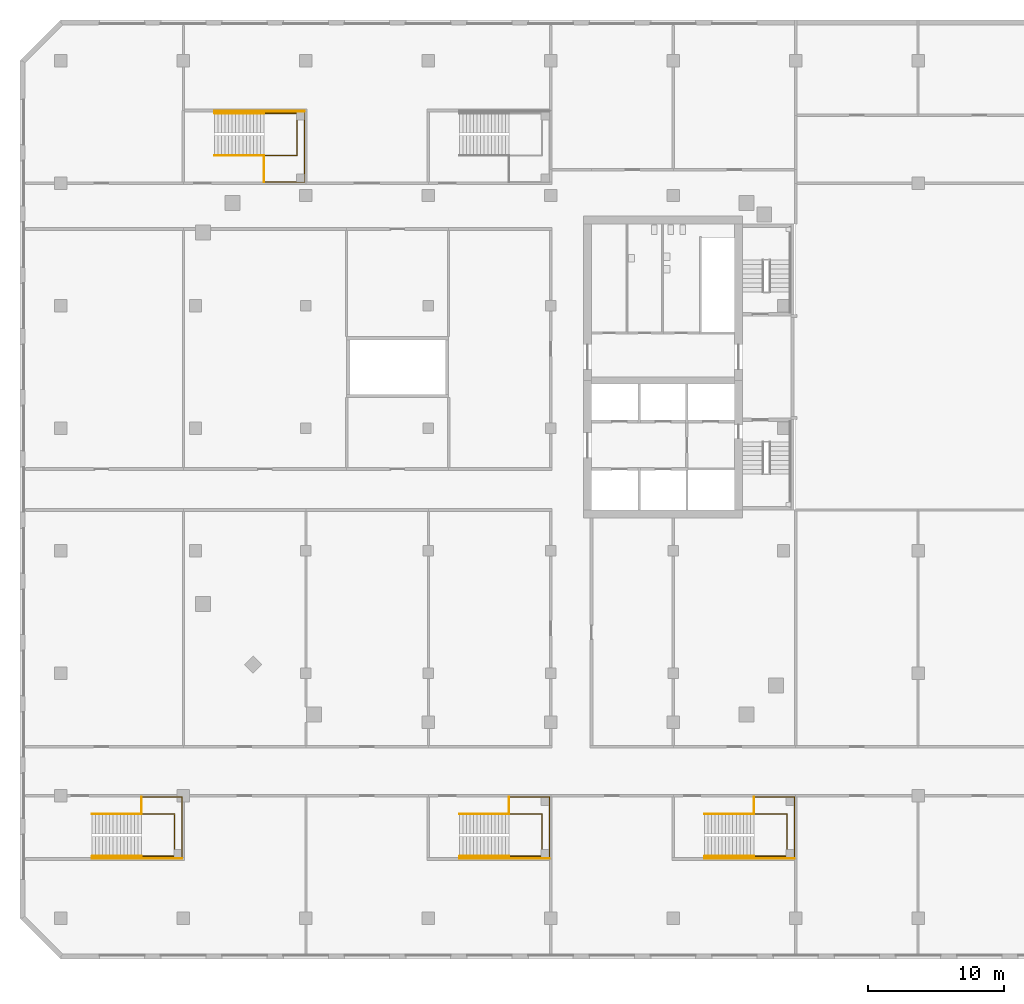
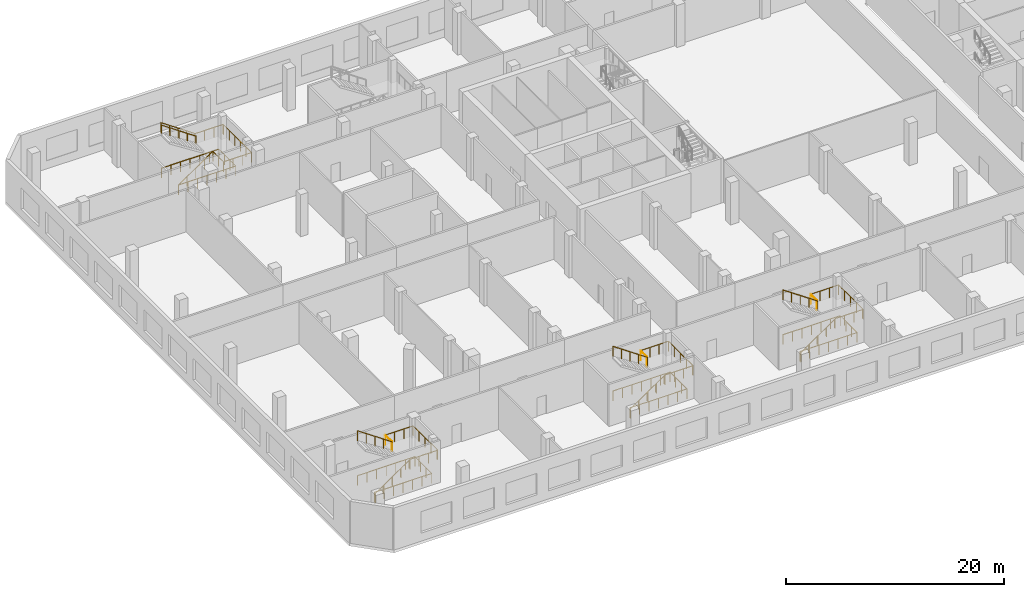
# One storey, part 17 of 21: 24 railings.
"""IFC4 building model written with IfcOpenShell, lengths in metres."""

from ifc_helpers import new_model, si_unit, direction, frame, origin, origin_2d, place, context, subcontext, project, spatial, circle, extrude, material, type_object, element, save


model = new_model("IFC4")

# Units and contexts
model_context = context("Model", 3, precision=1e-05, world=origin(), true_north=direction((0.0, 1.0)))
body_context = subcontext(model_context, "Body", "Model", "MODEL_VIEW")
ifc_project = project(units=[si_unit("LENGTHUNIT", "METRE"), si_unit("AREAUNIT", "SQUARE_METRE"), si_unit("VOLUMEUNIT", "CUBIC_METRE"), si_unit("PLANEANGLEUNIT", "RADIAN"), si_unit("MASSUNIT", "GRAM", prefix="KILO")], contexts=[model_context])

# Site, building, storey
site_placement = place(None, origin())
site = spatial("IfcSite", under=ifc_project, at=site_placement, CompositionType="ELEMENT")
building_placement = place(site_placement, origin())
building = spatial("IfcBuilding", under=site, at=building_placement, Name="Cinnabar Reach Civic Tower", CompositionType="ELEMENT")
storey_placement = place(building_placement, frame((0.0, 0.0, 11.0)))
storey = spatial("IfcBuildingStorey", under=building, at=storey_placement, Name="L02", CompositionType="ELEMENT", Elevation=11.0)

# Railings
ifc_material_1 = material(Name="Stainless steel and glass", Category="steel")
railing_type_1 = type_object("IfcRailingType", Name="Podium guard 1100", PredefinedType="GUARDRAIL", material=ifc_material_1)
railing_1_placement = place(storey_placement, frame((-75.06, -1.35, 2.5)))
element("IfcRailing", 1, at=railing_1_placement, inside=storey, type_object=railing_type_1, Name="Stair guard PS1 L02", PredefinedType="GUARDRAIL", context=body_context, shape_type="SweptSolid", body=[
    extrude(circle(Radius=0.024, at=origin_2d()), frame((0.0, 0.0, 1.076), z_axis=(-0.824306135323, 0.0, 0.566144323711), x_axis=(0.0, -1.0, 0.0)), (0.0, 0.0, 1.0), 4.4158),
    extrude(circle(Radius=0.021, at=origin_2d()), origin(), (0.0, 0.0, 1.0), 1.052),
    extrude(circle(Radius=0.021, at=origin_2d()), frame((-0.91, 0.0, 0.625)), (0.0, 0.0, 1.0), 1.052),
    extrude(circle(Radius=0.021, at=origin_2d()), frame((-1.82, 0.0, 1.25)), (0.0, 0.0, 1.0), 1.052),
    extrude(circle(Radius=0.021, at=origin_2d()), frame((-2.73, 0.0, 1.875)), (0.0, 0.0, 1.0), 1.052),
    extrude(circle(Radius=0.021, at=origin_2d()), frame((-3.64, 0.0, 2.5)), (0.0, 0.0, 1.0), 1.052),
])
railing_2_placement = place(storey_placement, frame((-75.06, -0.1, 2.5)))
element("IfcRailing", 2, at=railing_2_placement, inside=storey, type_object=railing_type_1, Name="Landing guard PS1 L02", PredefinedType="GUARDRAIL", context=body_context, shape_type="SweptSolid", body=[
    extrude(circle(Radius=0.024, at=origin_2d()), frame((0.0, 0.0, 1.076), z_axis=(1.0, 0.0, 0.0), x_axis=(0.0, 1.0, 0.0)), (0.0, 0.0, 1.0), 2.96),
    extrude(circle(Radius=0.024, at=origin_2d()), frame((2.96, 0.0, 1.076), z_axis=(0.0, -1.0, 0.0), x_axis=(1.0, 0.0, 0.0)), (0.0, 0.0, 1.0), 4.4),
    extrude(circle(Radius=0.021, at=origin_2d()), origin(), (0.0, 0.0, 1.0), 1.052),
    extrude(circle(Radius=0.021, at=origin_2d()), frame((0.9867, 0.0, 0.0)), (0.0, 0.0, 1.0), 1.052),
    extrude(circle(Radius=0.021, at=origin_2d()), frame((1.9733, 0.0, 0.0)), (0.0, 0.0, 1.0), 1.052),
    extrude(circle(Radius=0.021, at=origin_2d()), frame((2.96, 0.0, 0.0)), (0.0, 0.0, 1.0), 1.052),
    extrude(circle(Radius=0.021, at=origin_2d()), frame((2.96, -1.1, 0.0)), (0.0, 0.0, 1.0), 1.052),
    extrude(circle(Radius=0.021, at=origin_2d()), frame((2.96, -2.2, 0.0)), (0.0, 0.0, 1.0), 1.052),
    extrude(circle(Radius=0.021, at=origin_2d()), frame((2.96, -3.3, 0.0)), (0.0, 0.0, 1.0), 1.052),
    extrude(circle(Radius=0.021, at=origin_2d()), frame((2.96, -4.4, 0.0)), (0.0, 0.0, 1.0), 1.052),
])
railing_3_placement = place(storey_placement, frame((-75.06, -1.3, 2.5)))
element("IfcRailing", 3, at=railing_3_placement, inside=storey, type_object=railing_type_1, Name="Landing guard PS1 L02 inner", PredefinedType="GUARDRAIL", context=body_context, shape_type="SweptSolid", body=[
    extrude(circle(Radius=0.024, at=origin_2d()), frame((0.0, 0.0, 1.076), z_axis=(0.0, 1.0, 0.0), x_axis=(-1.0, 0.0, 0.0)), (0.0, 0.0, 1.0), 1.2),
    extrude(circle(Radius=0.021, at=origin_2d()), origin(), (0.0, 0.0, 1.0), 1.052),
    extrude(circle(Radius=0.021, at=origin_2d()), frame((0.0, 1.2, 0.0)), (0.0, 0.0, 1.0), 1.052),
])
railing_4_placement = place(storey_placement, frame((-78.7, -4.6, 0.0)))
element("IfcRailing", 4, at=railing_4_placement, inside=storey, type_object=railing_type_1, Name="Stair wall side guard PS1 L02", PredefinedType="GUARDRAIL", context=body_context, shape_type="SweptSolid", body=[
    extrude(circle(Radius=0.024, at=origin_2d()), frame((0.0, 0.0, 1.076), z_axis=(0.824306135323, 0.0, 0.566144323711), x_axis=(0.0, 1.0, 0.0)), (0.0, 0.0, 1.0), 4.4158),
    extrude(circle(Radius=0.024, at=origin_2d()), frame((3.64, 0.0, 3.576), z_axis=(1.0, 0.0, 0.0), x_axis=(0.0, 1.0, 0.0)), (0.0, 0.0, 1.0), 2.96),
    extrude(circle(Radius=0.021, at=origin_2d()), origin(), (0.0, 0.0, 1.0), 1.052),
    extrude(circle(Radius=0.021, at=origin_2d()), frame((0.91, 0.0, 0.625)), (0.0, 0.0, 1.0), 1.052),
    extrude(circle(Radius=0.021, at=origin_2d()), frame((1.82, 0.0, 1.25)), (0.0, 0.0, 1.0), 1.052),
    extrude(circle(Radius=0.021, at=origin_2d()), frame((2.73, 0.0, 1.875)), (0.0, 0.0, 1.0), 1.052),
    extrude(circle(Radius=0.021, at=origin_2d()), frame((3.64, 0.0, 2.5)), (0.0, 0.0, 1.0), 1.052),
    extrude(circle(Radius=0.021, at=origin_2d()), frame((4.6267, 0.0, 2.5)), (0.0, 0.0, 1.0), 1.052),
    extrude(circle(Radius=0.021, at=origin_2d()), frame((5.6133, 0.0, 2.5)), (0.0, 0.0, 1.0), 1.052),
    extrude(circle(Radius=0.021, at=origin_2d()), frame((6.6, 0.0, 2.5)), (0.0, 0.0, 1.0), 1.052),
])
railing_5_placement = place(storey_placement, frame((-78.7, -4.45, 0.0)))
element("IfcRailing", 5, at=railing_5_placement, inside=storey, type_object=railing_type_1, Name="Stair well guard PS1 L02", PredefinedType="GUARDRAIL", context=body_context, shape_type="SweptSolid", body=[
    extrude(circle(Radius=0.024, at=origin_2d()), frame((0.0, 0.0, 1.076), z_axis=(1.0, 0.0, 0.0), x_axis=(0.0, 1.0, 0.0)), (0.0, 0.0, 1.0), 6.05),
    extrude(circle(Radius=0.024, at=origin_2d()), frame((6.05, 0.0, 1.076), z_axis=(0.0, 1.0, 0.0), x_axis=(-1.0, 0.0, 0.0)), (0.0, 0.0, 1.0), 3.1),
    extrude(circle(Radius=0.024, at=origin_2d()), frame((6.05, 3.1, 1.076), z_axis=(-1.0, 0.0, 0.0), x_axis=(0.0, -1.0, 0.0)), (0.0, 0.0, 1.0), 6.05),
    extrude(circle(Radius=0.021, at=origin_2d()), origin(), (0.0, 0.0, 1.0), 1.052),
    extrude(circle(Radius=0.021, at=origin_2d()), frame((1.0083, 0.0, 0.0)), (0.0, 0.0, 1.0), 1.052),
    extrude(circle(Radius=0.021, at=origin_2d()), frame((2.0167, 0.0, 0.0)), (0.0, 0.0, 1.0), 1.052),
    extrude(circle(Radius=0.021, at=origin_2d()), frame((3.025, 0.0, 0.0)), (0.0, 0.0, 1.0), 1.052),
    extrude(circle(Radius=0.021, at=origin_2d()), frame((4.0333, 0.0, 0.0)), (0.0, 0.0, 1.0), 1.052),
    extrude(circle(Radius=0.021, at=origin_2d()), frame((5.0417, 0.0, 0.0)), (0.0, 0.0, 1.0), 1.052),
    extrude(circle(Radius=0.021, at=origin_2d()), frame((6.05, 0.0, 0.0)), (0.0, 0.0, 1.0), 1.052),
    extrude(circle(Radius=0.021, at=origin_2d()), frame((6.05, 1.0333, 0.0)), (0.0, 0.0, 1.0), 1.052),
    extrude(circle(Radius=0.021, at=origin_2d()), frame((6.05, 2.0667, 0.0)), (0.0, 0.0, 1.0), 1.052),
    extrude(circle(Radius=0.021, at=origin_2d()), frame((6.05, 3.1, 0.0)), (0.0, 0.0, 1.0), 1.052),
    extrude(circle(Radius=0.021, at=origin_2d()), frame((5.0417, 3.1, 0.0)), (0.0, 0.0, 1.0), 1.052),
    extrude(circle(Radius=0.021, at=origin_2d()), frame((4.0333, 3.1, 0.0)), (0.0, 0.0, 1.0), 1.052),
    extrude(circle(Radius=0.021, at=origin_2d()), frame((3.025, 3.1, 0.0)), (0.0, 0.0, 1.0), 1.052),
    extrude(circle(Radius=0.021, at=origin_2d()), frame((2.0167, 3.1, 0.0)), (0.0, 0.0, 1.0), 1.052),
    extrude(circle(Radius=0.021, at=origin_2d()), frame((1.0083, 3.1, 0.0)), (0.0, 0.0, 1.0), 1.052),
    extrude(circle(Radius=0.021, at=origin_2d()), frame((0.0, 3.1, 0.0)), (0.0, 0.0, 1.0), 1.052),
])
railing_6_placement = place(storey_placement, frame((-69.7, 47.05, 0.0)))
element("IfcRailing", 6, at=railing_6_placement, inside=storey, type_object=railing_type_1, Name="Stair guard PS2 L02", PredefinedType="GUARDRAIL", context=body_context, shape_type="SweptSolid", body=[
    extrude(circle(Radius=0.024, at=origin_2d()), frame((0.0, 0.0, 1.076), z_axis=(0.824306135323, 0.0, 0.566144323711), x_axis=(0.0, 1.0, 0.0)), (0.0, 0.0, 1.0), 4.4158),
    extrude(circle(Radius=0.021, at=origin_2d()), origin(), (0.0, 0.0, 1.0), 1.052),
    extrude(circle(Radius=0.021, at=origin_2d()), frame((0.91, 0.0, 0.625)), (0.0, 0.0, 1.0), 1.052),
    extrude(circle(Radius=0.021, at=origin_2d()), frame((1.82, 0.0, 1.25)), (0.0, 0.0, 1.0), 1.052),
    extrude(circle(Radius=0.021, at=origin_2d()), frame((2.73, 0.0, 1.875)), (0.0, 0.0, 1.0), 1.052),
    extrude(circle(Radius=0.021, at=origin_2d()), frame((3.64, 0.0, 2.5)), (0.0, 0.0, 1.0), 1.052),
])
railing_7_placement = place(storey_placement, frame((-66.06, 45.1, 2.5)))
element("IfcRailing", 7, at=railing_7_placement, inside=storey, type_object=railing_type_1, Name="Landing guard PS2 L02", PredefinedType="GUARDRAIL", context=body_context, shape_type="SweptSolid", body=[
    extrude(circle(Radius=0.024, at=origin_2d()), frame((0.0, 0.0, 1.076), z_axis=(1.0, 0.0, 0.0), x_axis=(0.0, 1.0, 0.0)), (0.0, 0.0, 1.0), 2.96),
    extrude(circle(Radius=0.024, at=origin_2d()), frame((2.96, 0.0, 1.076), z_axis=(0.0, 1.0, 0.0), x_axis=(-1.0, 0.0, 0.0)), (0.0, 0.0, 1.0), 5.1),
    extrude(circle(Radius=0.021, at=origin_2d()), origin(), (0.0, 0.0, 1.0), 1.052),
    extrude(circle(Radius=0.021, at=origin_2d()), frame((0.9867, 0.0, 0.0)), (0.0, 0.0, 1.0), 1.052),
    extrude(circle(Radius=0.021, at=origin_2d()), frame((1.9733, 0.0, 0.0)), (0.0, 0.0, 1.0), 1.052),
    extrude(circle(Radius=0.021, at=origin_2d()), frame((2.96, 0.0, 0.0)), (0.0, 0.0, 1.0), 1.052),
    extrude(circle(Radius=0.021, at=origin_2d()), frame((2.96, 1.02, 0.0)), (0.0, 0.0, 1.0), 1.052),
    extrude(circle(Radius=0.021, at=origin_2d()), frame((2.96, 2.04, 0.0)), (0.0, 0.0, 1.0), 1.052),
    extrude(circle(Radius=0.021, at=origin_2d()), frame((2.96, 3.06, 0.0)), (0.0, 0.0, 1.0), 1.052),
    extrude(circle(Radius=0.021, at=origin_2d()), frame((2.96, 4.08, 0.0)), (0.0, 0.0, 1.0), 1.052),
    extrude(circle(Radius=0.021, at=origin_2d()), frame((2.96, 5.1, 0.0)), (0.0, 0.0, 1.0), 1.052),
])
railing_8_placement = place(storey_placement, frame((-66.06, 45.1, 2.5)))
element("IfcRailing", 8, at=railing_8_placement, inside=storey, type_object=railing_type_1, Name="Landing guard PS2 L02 inner", PredefinedType="GUARDRAIL", context=body_context, shape_type="SweptSolid", body=[
    extrude(circle(Radius=0.024, at=origin_2d()), frame((0.0, 0.0, 1.076), z_axis=(0.0, 1.0, 0.0), x_axis=(-1.0, 0.0, 0.0)), (0.0, 0.0, 1.0), 1.9),
    extrude(circle(Radius=0.021, at=origin_2d()), origin(), (0.0, 0.0, 1.0), 1.052),
    extrude(circle(Radius=0.021, at=origin_2d()), frame((0.0, 0.95, 0.0)), (0.0, 0.0, 1.0), 1.052),
    extrude(circle(Radius=0.021, at=origin_2d()), frame((0.0, 1.9, 0.0)), (0.0, 0.0, 1.0), 1.052),
])
railing_9_placement = place(storey_placement, frame((-63.1, 50.3, 2.5)))
element("IfcRailing", 9, at=railing_9_placement, inside=storey, type_object=railing_type_1, Name="Stair wall side guard PS2 L02", PredefinedType="GUARDRAIL", context=body_context, shape_type="SweptSolid", body=[
    extrude(circle(Radius=0.024, at=origin_2d()), frame((0.0, 0.0, 1.076), z_axis=(-1.0, 0.0, 0.0), x_axis=(0.0, -1.0, 0.0)), (0.0, 0.0, 1.0), 2.96),
    extrude(circle(Radius=0.024, at=origin_2d()), frame((-2.96, 0.0, 1.076), z_axis=(-0.824306135323, 0.0, 0.566144323711), x_axis=(0.0, -1.0, 0.0)), (0.0, 0.0, 1.0), 4.4158),
    extrude(circle(Radius=0.021, at=origin_2d()), origin(), (0.0, 0.0, 1.0), 1.052),
    extrude(circle(Radius=0.021, at=origin_2d()), frame((-0.9867, 0.0, 0.0)), (0.0, 0.0, 1.0), 1.052),
    extrude(circle(Radius=0.021, at=origin_2d()), frame((-1.9733, 0.0, 0.0)), (0.0, 0.0, 1.0), 1.052),
    extrude(circle(Radius=0.021, at=origin_2d()), frame((-2.96, 0.0, 0.0)), (0.0, 0.0, 1.0), 1.052),
    extrude(circle(Radius=0.021, at=origin_2d()), frame((-3.87, 0.0, 0.625)), (0.0, 0.0, 1.0), 1.052),
    extrude(circle(Radius=0.021, at=origin_2d()), frame((-4.78, 0.0, 1.25)), (0.0, 0.0, 1.0), 1.052),
    extrude(circle(Radius=0.021, at=origin_2d()), frame((-5.69, 0.0, 1.875)), (0.0, 0.0, 1.0), 1.052),
    extrude(circle(Radius=0.021, at=origin_2d()), frame((-6.6, 0.0, 2.5)), (0.0, 0.0, 1.0), 1.052),
])
railing_10_placement = place(storey_placement, frame((-69.7, 47.05, 0.0)))
element("IfcRailing", 10, at=railing_10_placement, inside=storey, type_object=railing_type_1, Name="Stair well guard PS2 L02", PredefinedType="GUARDRAIL", context=body_context, shape_type="SweptSolid", body=[
    extrude(circle(Radius=0.024, at=origin_2d()), frame((0.0, 0.0, 1.076), z_axis=(1.0, 0.0, 0.0), x_axis=(0.0, 1.0, 0.0)), (0.0, 0.0, 1.0), 6.05),
    extrude(circle(Radius=0.024, at=origin_2d()), frame((6.05, 0.0, 1.076), z_axis=(0.0, 1.0, 0.0), x_axis=(-1.0, 0.0, 0.0)), (0.0, 0.0, 1.0), 3.1),
    extrude(circle(Radius=0.024, at=origin_2d()), frame((6.05, 3.1, 1.076), z_axis=(-1.0, 0.0, 0.0), x_axis=(0.0, -1.0, 0.0)), (0.0, 0.0, 1.0), 6.05),
    extrude(circle(Radius=0.021, at=origin_2d()), origin(), (0.0, 0.0, 1.0), 1.052),
    extrude(circle(Radius=0.021, at=origin_2d()), frame((1.0083, 0.0, 0.0)), (0.0, 0.0, 1.0), 1.052),
    extrude(circle(Radius=0.021, at=origin_2d()), frame((2.0167, 0.0, 0.0)), (0.0, 0.0, 1.0), 1.052),
    extrude(circle(Radius=0.021, at=origin_2d()), frame((3.025, 0.0, 0.0)), (0.0, 0.0, 1.0), 1.052),
    extrude(circle(Radius=0.021, at=origin_2d()), frame((4.0333, 0.0, 0.0)), (0.0, 0.0, 1.0), 1.052),
    extrude(circle(Radius=0.021, at=origin_2d()), frame((5.0417, 0.0, 0.0)), (0.0, 0.0, 1.0), 1.052),
    extrude(circle(Radius=0.021, at=origin_2d()), frame((6.05, 0.0, 0.0)), (0.0, 0.0, 1.0), 1.052),
    extrude(circle(Radius=0.021, at=origin_2d()), frame((6.05, 1.0333, 0.0)), (0.0, 0.0, 1.0), 1.052),
    extrude(circle(Radius=0.021, at=origin_2d()), frame((6.05, 2.0667, 0.0)), (0.0, 0.0, 1.0), 1.052),
    extrude(circle(Radius=0.021, at=origin_2d()), frame((6.05, 3.1, 0.0)), (0.0, 0.0, 1.0), 1.052),
    extrude(circle(Radius=0.021, at=origin_2d()), frame((5.0417, 3.1, 0.0)), (0.0, 0.0, 1.0), 1.052),
    extrude(circle(Radius=0.021, at=origin_2d()), frame((4.0333, 3.1, 0.0)), (0.0, 0.0, 1.0), 1.052),
    extrude(circle(Radius=0.021, at=origin_2d()), frame((3.025, 3.1, 0.0)), (0.0, 0.0, 1.0), 1.052),
    extrude(circle(Radius=0.021, at=origin_2d()), frame((2.0167, 3.1, 0.0)), (0.0, 0.0, 1.0), 1.052),
    extrude(circle(Radius=0.021, at=origin_2d()), frame((1.0083, 3.1, 0.0)), (0.0, 0.0, 1.0), 1.052),
    extrude(circle(Radius=0.021, at=origin_2d()), frame((0.0, 3.1, 0.0)), (0.0, 0.0, 1.0), 1.052),
])
railing_11_placement = place(storey_placement, frame((-48.06, -1.35, 2.5)))
element("IfcRailing", 11, at=railing_11_placement, inside=storey, type_object=railing_type_1, Name="Stair guard PS8 L02", PredefinedType="GUARDRAIL", context=body_context, shape_type="SweptSolid", body=[
    extrude(circle(Radius=0.024, at=origin_2d()), frame((0.0, 0.0, 1.076), z_axis=(-0.824306135323, 0.0, 0.566144323711), x_axis=(0.0, -1.0, 0.0)), (0.0, 0.0, 1.0), 4.4158),
    extrude(circle(Radius=0.021, at=origin_2d()), origin(), (0.0, 0.0, 1.0), 1.052),
    extrude(circle(Radius=0.021, at=origin_2d()), frame((-0.91, 0.0, 0.625)), (0.0, 0.0, 1.0), 1.052),
    extrude(circle(Radius=0.021, at=origin_2d()), frame((-1.82, 0.0, 1.25)), (0.0, 0.0, 1.0), 1.052),
    extrude(circle(Radius=0.021, at=origin_2d()), frame((-2.73, 0.0, 1.875)), (0.0, 0.0, 1.0), 1.052),
    extrude(circle(Radius=0.021, at=origin_2d()), frame((-3.64, 0.0, 2.5)), (0.0, 0.0, 1.0), 1.052),
])
railing_12_placement = place(storey_placement, frame((-48.06, -0.1, 2.5)))
element("IfcRailing", 12, at=railing_12_placement, inside=storey, type_object=railing_type_1, Name="Landing guard PS8 L02", PredefinedType="GUARDRAIL", context=body_context, shape_type="SweptSolid", body=[
    extrude(circle(Radius=0.024, at=origin_2d()), frame((0.0, 0.0, 1.076), z_axis=(1.0, 0.0, 0.0), x_axis=(0.0, 1.0, 0.0)), (0.0, 0.0, 1.0), 2.96),
    extrude(circle(Radius=0.024, at=origin_2d()), frame((2.96, 0.0, 1.076), z_axis=(0.0, -1.0, 0.0), x_axis=(1.0, 0.0, 0.0)), (0.0, 0.0, 1.0), 4.4),
    extrude(circle(Radius=0.021, at=origin_2d()), origin(), (0.0, 0.0, 1.0), 1.052),
    extrude(circle(Radius=0.021, at=origin_2d()), frame((0.9867, 0.0, 0.0)), (0.0, 0.0, 1.0), 1.052),
    extrude(circle(Radius=0.021, at=origin_2d()), frame((1.9733, 0.0, 0.0)), (0.0, 0.0, 1.0), 1.052),
    extrude(circle(Radius=0.021, at=origin_2d()), frame((2.96, 0.0, 0.0)), (0.0, 0.0, 1.0), 1.052),
    extrude(circle(Radius=0.021, at=origin_2d()), frame((2.96, -1.1, 0.0)), (0.0, 0.0, 1.0), 1.052),
    extrude(circle(Radius=0.021, at=origin_2d()), frame((2.96, -2.2, 0.0)), (0.0, 0.0, 1.0), 1.052),
    extrude(circle(Radius=0.021, at=origin_2d()), frame((2.96, -3.3, 0.0)), (0.0, 0.0, 1.0), 1.052),
    extrude(circle(Radius=0.021, at=origin_2d()), frame((2.96, -4.4, 0.0)), (0.0, 0.0, 1.0), 1.052),
])
railing_13_placement = place(storey_placement, frame((-48.06, -1.3, 2.5)))
element("IfcRailing", 13, at=railing_13_placement, inside=storey, type_object=railing_type_1, Name="Landing guard PS8 L02 inner", PredefinedType="GUARDRAIL", context=body_context, shape_type="SweptSolid", body=[
    extrude(circle(Radius=0.024, at=origin_2d()), frame((0.0, 0.0, 1.076), z_axis=(0.0, 1.0, 0.0), x_axis=(-1.0, 0.0, 0.0)), (0.0, 0.0, 1.0), 1.2),
    extrude(circle(Radius=0.021, at=origin_2d()), origin(), (0.0, 0.0, 1.0), 1.052),
    extrude(circle(Radius=0.021, at=origin_2d()), frame((0.0, 1.2, 0.0)), (0.0, 0.0, 1.0), 1.052),
])
railing_14_placement = place(storey_placement, frame((-51.7, -4.6, 0.0)))
element("IfcRailing", 14, at=railing_14_placement, inside=storey, type_object=railing_type_1, Name="Stair wall side guard PS8 L02", PredefinedType="GUARDRAIL", context=body_context, shape_type="SweptSolid", body=[
    extrude(circle(Radius=0.024, at=origin_2d()), frame((0.0, 0.0, 1.076), z_axis=(0.824306135323, 0.0, 0.566144323711), x_axis=(0.0, 1.0, 0.0)), (0.0, 0.0, 1.0), 4.4158),
    extrude(circle(Radius=0.024, at=origin_2d()), frame((3.64, 0.0, 3.576), z_axis=(1.0, 0.0, 0.0), x_axis=(0.0, 1.0, 0.0)), (0.0, 0.0, 1.0), 2.96),
    extrude(circle(Radius=0.021, at=origin_2d()), origin(), (0.0, 0.0, 1.0), 1.052),
    extrude(circle(Radius=0.021, at=origin_2d()), frame((0.91, 0.0, 0.625)), (0.0, 0.0, 1.0), 1.052),
    extrude(circle(Radius=0.021, at=origin_2d()), frame((1.82, 0.0, 1.25)), (0.0, 0.0, 1.0), 1.052),
    extrude(circle(Radius=0.021, at=origin_2d()), frame((2.73, 0.0, 1.875)), (0.0, 0.0, 1.0), 1.052),
    extrude(circle(Radius=0.021, at=origin_2d()), frame((3.64, 0.0, 2.5)), (0.0, 0.0, 1.0), 1.052),
    extrude(circle(Radius=0.021, at=origin_2d()), frame((4.6267, 0.0, 2.5)), (0.0, 0.0, 1.0), 1.052),
    extrude(circle(Radius=0.021, at=origin_2d()), frame((5.6133, 0.0, 2.5)), (0.0, 0.0, 1.0), 1.052),
    extrude(circle(Radius=0.021, at=origin_2d()), frame((6.6, 0.0, 2.5)), (0.0, 0.0, 1.0), 1.052),
])
railing_15_placement = place(storey_placement, frame((-51.7, -4.45, 0.0)))
element("IfcRailing", 15, at=railing_15_placement, inside=storey, type_object=railing_type_1, Name="Stair well guard PS8 L02", PredefinedType="GUARDRAIL", context=body_context, shape_type="SweptSolid", body=[
    extrude(circle(Radius=0.024, at=origin_2d()), frame((0.0, 0.0, 1.076), z_axis=(1.0, 0.0, 0.0), x_axis=(0.0, 1.0, 0.0)), (0.0, 0.0, 1.0), 6.05),
    extrude(circle(Radius=0.024, at=origin_2d()), frame((6.05, 0.0, 1.076), z_axis=(0.0, 1.0, 0.0), x_axis=(-1.0, 0.0, 0.0)), (0.0, 0.0, 1.0), 3.1),
    extrude(circle(Radius=0.024, at=origin_2d()), frame((6.05, 3.1, 1.076), z_axis=(-1.0, 0.0, 0.0), x_axis=(0.0, -1.0, 0.0)), (0.0, 0.0, 1.0), 6.05),
    extrude(circle(Radius=0.021, at=origin_2d()), origin(), (0.0, 0.0, 1.0), 1.052),
    extrude(circle(Radius=0.021, at=origin_2d()), frame((1.0083, 0.0, 0.0)), (0.0, 0.0, 1.0), 1.052),
    extrude(circle(Radius=0.021, at=origin_2d()), frame((2.0167, 0.0, 0.0)), (0.0, 0.0, 1.0), 1.052),
    extrude(circle(Radius=0.021, at=origin_2d()), frame((3.025, 0.0, 0.0)), (0.0, 0.0, 1.0), 1.052),
    extrude(circle(Radius=0.021, at=origin_2d()), frame((4.0333, 0.0, 0.0)), (0.0, 0.0, 1.0), 1.052),
    extrude(circle(Radius=0.021, at=origin_2d()), frame((5.0417, 0.0, 0.0)), (0.0, 0.0, 1.0), 1.052),
    extrude(circle(Radius=0.021, at=origin_2d()), frame((6.05, 0.0, 0.0)), (0.0, 0.0, 1.0), 1.052),
    extrude(circle(Radius=0.021, at=origin_2d()), frame((6.05, 1.0333, 0.0)), (0.0, 0.0, 1.0), 1.052),
    extrude(circle(Radius=0.021, at=origin_2d()), frame((6.05, 2.0667, 0.0)), (0.0, 0.0, 1.0), 1.052),
    extrude(circle(Radius=0.021, at=origin_2d()), frame((6.05, 3.1, 0.0)), (0.0, 0.0, 1.0), 1.052),
    extrude(circle(Radius=0.021, at=origin_2d()), frame((5.0417, 3.1, 0.0)), (0.0, 0.0, 1.0), 1.052),
    extrude(circle(Radius=0.021, at=origin_2d()), frame((4.0333, 3.1, 0.0)), (0.0, 0.0, 1.0), 1.052),
    extrude(circle(Radius=0.021, at=origin_2d()), frame((3.025, 3.1, 0.0)), (0.0, 0.0, 1.0), 1.052),
    extrude(circle(Radius=0.021, at=origin_2d()), frame((2.0167, 3.1, 0.0)), (0.0, 0.0, 1.0), 1.052),
    extrude(circle(Radius=0.021, at=origin_2d()), frame((1.0083, 3.1, 0.0)), (0.0, 0.0, 1.0), 1.052),
    extrude(circle(Radius=0.021, at=origin_2d()), frame((0.0, 3.1, 0.0)), (0.0, 0.0, 1.0), 1.052),
])
railing_16_placement = place(storey_placement, frame((-30.06, -1.35, 2.5)))
element("IfcRailing", 16, at=railing_16_placement, inside=storey, type_object=railing_type_1, Name="Stair guard PS9 L02", PredefinedType="GUARDRAIL", context=body_context, shape_type="SweptSolid", body=[
    extrude(circle(Radius=0.024, at=origin_2d()), frame((0.0, 0.0, 1.076), z_axis=(-0.824306135323, 0.0, 0.566144323711), x_axis=(0.0, -1.0, 0.0)), (0.0, 0.0, 1.0), 4.4158),
    extrude(circle(Radius=0.021, at=origin_2d()), origin(), (0.0, 0.0, 1.0), 1.052),
    extrude(circle(Radius=0.021, at=origin_2d()), frame((-0.91, 0.0, 0.625)), (0.0, 0.0, 1.0), 1.052),
    extrude(circle(Radius=0.021, at=origin_2d()), frame((-1.82, 0.0, 1.25)), (0.0, 0.0, 1.0), 1.052),
    extrude(circle(Radius=0.021, at=origin_2d()), frame((-2.73, 0.0, 1.875)), (0.0, 0.0, 1.0), 1.052),
    extrude(circle(Radius=0.021, at=origin_2d()), frame((-3.64, 0.0, 2.5)), (0.0, 0.0, 1.0), 1.052),
])
railing_17_placement = place(storey_placement, frame((-30.06, -0.1, 2.5)))
element("IfcRailing", 17, at=railing_17_placement, inside=storey, type_object=railing_type_1, Name="Landing guard PS9 L02", PredefinedType="GUARDRAIL", context=body_context, shape_type="SweptSolid", body=[
    extrude(circle(Radius=0.024, at=origin_2d()), frame((0.0, 0.0, 1.076), z_axis=(1.0, 0.0, 0.0), x_axis=(0.0, 1.0, 0.0)), (0.0, 0.0, 1.0), 2.96),
    extrude(circle(Radius=0.024, at=origin_2d()), frame((2.96, 0.0, 1.076), z_axis=(0.0, -1.0, 0.0), x_axis=(1.0, 0.0, 0.0)), (0.0, 0.0, 1.0), 4.4),
    extrude(circle(Radius=0.021, at=origin_2d()), origin(), (0.0, 0.0, 1.0), 1.052),
    extrude(circle(Radius=0.021, at=origin_2d()), frame((0.9867, 0.0, 0.0)), (0.0, 0.0, 1.0), 1.052),
    extrude(circle(Radius=0.021, at=origin_2d()), frame((1.9733, 0.0, 0.0)), (0.0, 0.0, 1.0), 1.052),
    extrude(circle(Radius=0.021, at=origin_2d()), frame((2.96, 0.0, 0.0)), (0.0, 0.0, 1.0), 1.052),
    extrude(circle(Radius=0.021, at=origin_2d()), frame((2.96, -1.1, 0.0)), (0.0, 0.0, 1.0), 1.052),
    extrude(circle(Radius=0.021, at=origin_2d()), frame((2.96, -2.2, 0.0)), (0.0, 0.0, 1.0), 1.052),
    extrude(circle(Radius=0.021, at=origin_2d()), frame((2.96, -3.3, 0.0)), (0.0, 0.0, 1.0), 1.052),
    extrude(circle(Radius=0.021, at=origin_2d()), frame((2.96, -4.4, 0.0)), (0.0, 0.0, 1.0), 1.052),
])
railing_18_placement = place(storey_placement, frame((-30.06, -1.3, 2.5)))
element("IfcRailing", 18, at=railing_18_placement, inside=storey, type_object=railing_type_1, Name="Landing guard PS9 L02 inner", PredefinedType="GUARDRAIL", context=body_context, shape_type="SweptSolid", body=[
    extrude(circle(Radius=0.024, at=origin_2d()), frame((0.0, 0.0, 1.076), z_axis=(0.0, 1.0, 0.0), x_axis=(-1.0, 0.0, 0.0)), (0.0, 0.0, 1.0), 1.2),
    extrude(circle(Radius=0.021, at=origin_2d()), origin(), (0.0, 0.0, 1.0), 1.052),
    extrude(circle(Radius=0.021, at=origin_2d()), frame((0.0, 1.2, 0.0)), (0.0, 0.0, 1.0), 1.052),
])
railing_19_placement = place(storey_placement, frame((-33.7, -4.6, 0.0)))
element("IfcRailing", 19, at=railing_19_placement, inside=storey, type_object=railing_type_1, Name="Stair wall side guard PS9 L02", PredefinedType="GUARDRAIL", context=body_context, shape_type="SweptSolid", body=[
    extrude(circle(Radius=0.024, at=origin_2d()), frame((0.0, 0.0, 1.076), z_axis=(0.824306135323, 0.0, 0.566144323711), x_axis=(0.0, 1.0, 0.0)), (0.0, 0.0, 1.0), 4.4158),
    extrude(circle(Radius=0.024, at=origin_2d()), frame((3.64, 0.0, 3.576), z_axis=(1.0, 0.0, 0.0), x_axis=(0.0, 1.0, 0.0)), (0.0, 0.0, 1.0), 2.96),
    extrude(circle(Radius=0.021, at=origin_2d()), origin(), (0.0, 0.0, 1.0), 1.052),
    extrude(circle(Radius=0.021, at=origin_2d()), frame((0.91, 0.0, 0.625)), (0.0, 0.0, 1.0), 1.052),
    extrude(circle(Radius=0.021, at=origin_2d()), frame((1.82, 0.0, 1.25)), (0.0, 0.0, 1.0), 1.052),
    extrude(circle(Radius=0.021, at=origin_2d()), frame((2.73, 0.0, 1.875)), (0.0, 0.0, 1.0), 1.052),
    extrude(circle(Radius=0.021, at=origin_2d()), frame((3.64, 0.0, 2.5)), (0.0, 0.0, 1.0), 1.052),
    extrude(circle(Radius=0.021, at=origin_2d()), frame((4.6267, 0.0, 2.5)), (0.0, 0.0, 1.0), 1.052),
    extrude(circle(Radius=0.021, at=origin_2d()), frame((5.6133, 0.0, 2.5)), (0.0, 0.0, 1.0), 1.052),
    extrude(circle(Radius=0.021, at=origin_2d()), frame((6.6, 0.0, 2.5)), (0.0, 0.0, 1.0), 1.052),
])
railing_20_placement = place(storey_placement, frame((-33.7, -4.45, 0.0)))
element("IfcRailing", 20, at=railing_20_placement, inside=storey, type_object=railing_type_1, Name="Stair well guard PS9 L02", PredefinedType="GUARDRAIL", context=body_context, shape_type="SweptSolid", body=[
    extrude(circle(Radius=0.024, at=origin_2d()), frame((0.0, 0.0, 1.076), z_axis=(1.0, 0.0, 0.0), x_axis=(0.0, 1.0, 0.0)), (0.0, 0.0, 1.0), 6.05),
    extrude(circle(Radius=0.024, at=origin_2d()), frame((6.05, 0.0, 1.076), z_axis=(0.0, 1.0, 0.0), x_axis=(-1.0, 0.0, 0.0)), (0.0, 0.0, 1.0), 3.1),
    extrude(circle(Radius=0.024, at=origin_2d()), frame((6.05, 3.1, 1.076), z_axis=(-1.0, 0.0, 0.0), x_axis=(0.0, -1.0, 0.0)), (0.0, 0.0, 1.0), 6.05),
    extrude(circle(Radius=0.021, at=origin_2d()), origin(), (0.0, 0.0, 1.0), 1.052),
    extrude(circle(Radius=0.021, at=origin_2d()), frame((1.0083, 0.0, 0.0)), (0.0, 0.0, 1.0), 1.052),
    extrude(circle(Radius=0.021, at=origin_2d()), frame((2.0167, 0.0, 0.0)), (0.0, 0.0, 1.0), 1.052),
    extrude(circle(Radius=0.021, at=origin_2d()), frame((3.025, 0.0, 0.0)), (0.0, 0.0, 1.0), 1.052),
    extrude(circle(Radius=0.021, at=origin_2d()), frame((4.0333, 0.0, 0.0)), (0.0, 0.0, 1.0), 1.052),
    extrude(circle(Radius=0.021, at=origin_2d()), frame((5.0417, 0.0, 0.0)), (0.0, 0.0, 1.0), 1.052),
    extrude(circle(Radius=0.021, at=origin_2d()), frame((6.05, 0.0, 0.0)), (0.0, 0.0, 1.0), 1.052),
    extrude(circle(Radius=0.021, at=origin_2d()), frame((6.05, 1.0333, 0.0)), (0.0, 0.0, 1.0), 1.052),
    extrude(circle(Radius=0.021, at=origin_2d()), frame((6.05, 2.0667, 0.0)), (0.0, 0.0, 1.0), 1.052),
    extrude(circle(Radius=0.021, at=origin_2d()), frame((6.05, 3.1, 0.0)), (0.0, 0.0, 1.0), 1.052),
    extrude(circle(Radius=0.021, at=origin_2d()), frame((5.0417, 3.1, 0.0)), (0.0, 0.0, 1.0), 1.052),
    extrude(circle(Radius=0.021, at=origin_2d()), frame((4.0333, 3.1, 0.0)), (0.0, 0.0, 1.0), 1.052),
    extrude(circle(Radius=0.021, at=origin_2d()), frame((3.025, 3.1, 0.0)), (0.0, 0.0, 1.0), 1.052),
    extrude(circle(Radius=0.021, at=origin_2d()), frame((2.0167, 3.1, 0.0)), (0.0, 0.0, 1.0), 1.052),
    extrude(circle(Radius=0.021, at=origin_2d()), frame((1.0083, 3.1, 0.0)), (0.0, 0.0, 1.0), 1.052),
    extrude(circle(Radius=0.021, at=origin_2d()), frame((0.0, 3.1, 0.0)), (0.0, 0.0, 1.0), 1.052),
])
ifc_material_2 = material(Name="Stainless steel", Category="steel")
railing_type_2 = type_object("IfcRailingType", Name="Podium stair handrail 900", PredefinedType="HANDRAIL", material=ifc_material_2)
railing_21_placement = place(storey_placement, frame((-78.7, -4.45, 0.0)))
element("IfcRailing", 21, at=railing_21_placement, inside=storey, type_object=railing_type_2, Name="Stair handrail PS1 L02", PredefinedType="HANDRAIL", context=body_context, shape_type="SweptSolid", body=[
    extrude(circle(Radius=0.024, at=origin_2d()), frame((0.0, 0.0, 0.876), z_axis=(0.824306135323, 0.0, 0.566144323711), x_axis=(0.0, 1.0, 0.0)), (0.0, 0.0, 1.0), 4.4158),
    extrude(circle(Radius=0.021, at=origin_2d()), origin(), (0.0, 0.0, 1.0), 0.852),
    extrude(circle(Radius=0.021, at=origin_2d()), frame((0.91, 0.0, 0.625)), (0.0, 0.0, 1.0), 0.852),
    extrude(circle(Radius=0.021, at=origin_2d()), frame((1.82, 0.0, 1.25)), (0.0, 0.0, 1.0), 0.852),
    extrude(circle(Radius=0.021, at=origin_2d()), frame((2.73, 0.0, 1.875)), (0.0, 0.0, 1.0), 0.852),
    extrude(circle(Radius=0.021, at=origin_2d()), frame((3.64, 0.0, 2.5)), (0.0, 0.0, 1.0), 0.852),
])
railing_22_placement = place(storey_placement, frame((-66.06, 50.15, 2.5)))
element("IfcRailing", 22, at=railing_22_placement, inside=storey, type_object=railing_type_2, Name="Stair handrail PS2 L02", PredefinedType="HANDRAIL", context=body_context, shape_type="SweptSolid", body=[
    extrude(circle(Radius=0.024, at=origin_2d()), frame((0.0, 0.0, 0.876), z_axis=(-0.824306135323, 0.0, 0.566144323711), x_axis=(0.0, -1.0, 0.0)), (0.0, 0.0, 1.0), 4.4158),
    extrude(circle(Radius=0.021, at=origin_2d()), origin(), (0.0, 0.0, 1.0), 0.852),
    extrude(circle(Radius=0.021, at=origin_2d()), frame((-0.91, 0.0, 0.625)), (0.0, 0.0, 1.0), 0.852),
    extrude(circle(Radius=0.021, at=origin_2d()), frame((-1.82, 0.0, 1.25)), (0.0, 0.0, 1.0), 0.852),
    extrude(circle(Radius=0.021, at=origin_2d()), frame((-2.73, 0.0, 1.875)), (0.0, 0.0, 1.0), 0.852),
    extrude(circle(Radius=0.021, at=origin_2d()), frame((-3.64, 0.0, 2.5)), (0.0, 0.0, 1.0), 0.852),
])
for number, where, name in (
    (23, (-51.7, -4.45, 0.0), "Stair handrail PS8 L02"),
    (24, (-33.7, -4.45, 0.0), "Stair handrail PS9 L02"),
):
    element("IfcRailing", number, at=place(storey_placement, frame(where)), inside=storey, type_object=railing_type_2, Name=name, PredefinedType="HANDRAIL", context=body_context, shape_type="SweptSolid", body=[
        extrude(circle(Radius=0.024, at=origin_2d()), frame((0.0, 0.0, 0.876), z_axis=(0.824306135323, 0.0, 0.566144323711), x_axis=(0.0, 1.0, 0.0)), (0.0, 0.0, 1.0), 4.4158),
        extrude(circle(Radius=0.021, at=origin_2d()), origin(), (0.0, 0.0, 1.0), 0.852),
        extrude(circle(Radius=0.021, at=origin_2d()), frame((0.91, 0.0, 0.625)), (0.0, 0.0, 1.0), 0.852),
        extrude(circle(Radius=0.021, at=origin_2d()), frame((1.82, 0.0, 1.25)), (0.0, 0.0, 1.0), 0.852),
        extrude(circle(Radius=0.021, at=origin_2d()), frame((2.73, 0.0, 1.875)), (0.0, 0.0, 1.0), 0.852),
        extrude(circle(Radius=0.021, at=origin_2d()), frame((3.64, 0.0, 2.5)), (0.0, 0.0, 1.0), 0.852),
    ])

save(model, "model.ifc")
